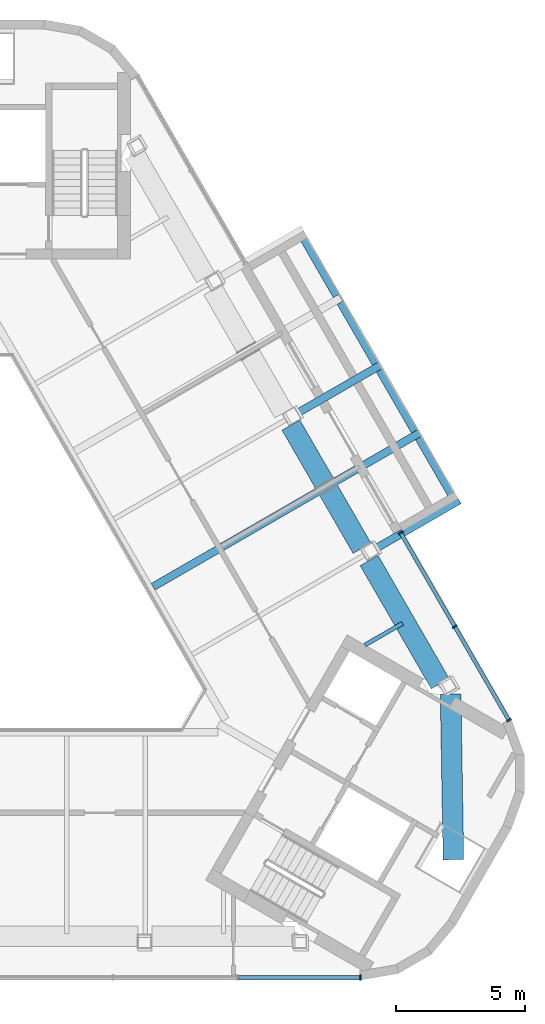
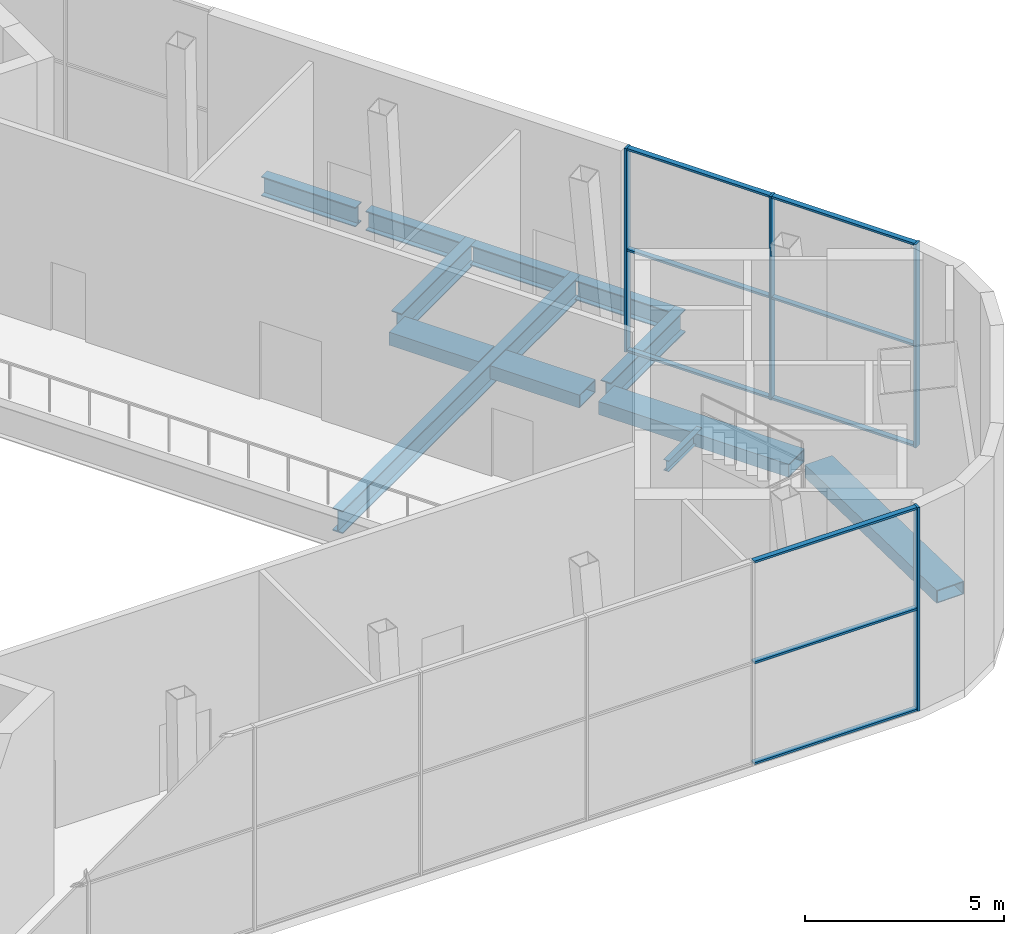
# One storey, part 4 of 12: 13 members, 12 beams, 2 elements without a shape of their own.
"""IFC4 building model written with IfcOpenShell, lengths in metres."""

from ifc_helpers import new_model, si_unit, direction, frame, origin, origin_2d, place, context, subcontext, project, spatial, rectangle, hollow_rectangle, i_section, extrude, material, layer, layer_set, material_profile, profile_set, type_object, element, aggregate, save


model = new_model("IFC4")

# Units and contexts
model_context = context("Model", 3, precision=1e-05, world=origin(), true_north=direction((0.0, 1.0)))
body_context = subcontext(model_context, "Body", "Model", "MODEL_VIEW")
ifc_project = project(units=[si_unit("LENGTHUNIT", "METRE"), si_unit("AREAUNIT", "SQUARE_METRE"), si_unit("VOLUMEUNIT", "CUBIC_METRE"), si_unit("PLANEANGLEUNIT", "RADIAN"), si_unit("MASSUNIT", "GRAM", prefix="KILO")], contexts=[model_context])

# Site, building, storey
site_placement = place(None, origin())
site = spatial("IfcSite", under=ifc_project, at=site_placement, CompositionType="ELEMENT")
building_placement = place(site_placement, origin())
building = spatial("IfcBuilding", under=site, at=building_placement, Name="Apuvela Tower Hotel", CompositionType="ELEMENT")
storey_placement = place(building_placement, frame((0.0, 0.0, 331.800048828125)))
storey = spatial("IfcBuildingStorey", under=building, at=storey_placement, Name="L83", CompositionType="ELEMENT", Elevation=331.800048828125)

# Curtain wall, member
ifc_material_1 = material(Name="Aluminium 6063-T6, dark bronze anodised", Category="aluminium")
ifc_layer = layer(ifc_material_1, 0.199951171875)
ifc_layer_set = layer_set([ifc_layer], Name="ENV-CW-L")
curtain_wall_type = type_object("IfcCurtainWallType", Name="ENV-CW-L", PredefinedType="NOTDEFINED", material=ifc_layer_set)
curtain_wall_1_placement = place(storey_placement, origin())
curtain_wall_1 = element("IfcCurtainWall", 1, at=curtain_wall_1_placement, inside=storey, type_object=curtain_wall_type, Name="Curtain wall CW-L S L83", PredefinedType="NOTDEFINED")
ifc_material_profile_1 = material_profile(ifc_material_1, rectangle(XDim=0.199951171875, YDim=0.06494140625, at=origin_2d()), Name="AL 65x200")
ifc_profile_set_1 = profile_set([ifc_material_profile_1], Name="Aluminium 6063-T6, dark bronze anodised")
member_type_1 = type_object("IfcMemberType", Name="ENV-MULLION-65x200", PredefinedType="MULLION", material=ifc_profile_set_1)
member_1_placement = place(storey_placement, frame((14.434814453125, -14.993408203125, 0.0), z_axis=(0.0, 0.0, 1.0), x_axis=(0.0, 1.0, 0.0)))
member_1 = element("IfcMember", 2, at=member_1_placement, type_object=member_type_1, Name="CW-L mullion 7", PredefinedType="MULLION", context=body_context, shape_type="SweptSolid", body=[
    extrude(rectangle(XDim=0.199951171875, YDim=0.06494140625, at=origin_2d()), origin(), (0.0, 0.0, 1.0), 6.25),
])

# Curtain wall, members
curtain_wall_2_placement = place(storey_placement, origin())
curtain_wall_2 = element("IfcCurtainWall", 3, at=curtain_wall_2_placement, inside=storey, type_object=curtain_wall_type, Name="Curtain wall CW-L NE L83-1", PredefinedType="NOTDEFINED")
member_2_placement = place(storey_placement, frame((20.201904296875, -5.004150390625, 0.0), z_axis=(0.0, 0.0, 1.0), x_axis=(-0.866028052231, -0.499995412728, 0.0)))
member_2 = element("IfcMember", 4, at=member_2_placement, type_object=member_type_1, Name="CW-L mullion 1", PredefinedType="MULLION", context=body_context, shape_type="SweptSolid", body=[
    extrude(rectangle(XDim=0.199951171875, YDim=0.06494140625, at=origin_2d()), origin(), (0.0, 0.0, 1.0), 6.25),
])
member_3_placement = place(storey_placement, frame((18.101318359375, -1.365966796875, 0.0), z_axis=(0.0, 0.0, 1.0), x_axis=(-0.866028052231, -0.499995412728, 0.0)))
member_3 = element("IfcMember", 5, at=member_3_placement, type_object=member_type_1, Name="CW-L mullion 2", PredefinedType="MULLION", context=body_context, shape_type="SweptSolid", body=[
    extrude(rectangle(XDim=0.199951171875, YDim=0.06494140625, at=origin_2d()), origin(), (0.0, 0.0, 1.0), 6.25),
])
member_4_placement = place(storey_placement, frame((16.000732421875, 2.2724609375, 0.0), z_axis=(0.0, 0.0, 1.0), x_axis=(-0.866028052231, -0.499995412728, 0.0)))
member_4 = element("IfcMember", 6, at=member_4_placement, type_object=member_type_1, Name="CW-L mullion 3", PredefinedType="MULLION", context=body_context, shape_type="SweptSolid", body=[
    extrude(rectangle(XDim=0.199951171875, YDim=0.06494140625, at=origin_2d()), origin(), (0.0, 0.0, 1.0), 6.25),
])

# Member
ifc_material_profile_2 = material_profile(ifc_material_1, rectangle(XDim=0.14990234375, YDim=0.06494140625, at=origin_2d()), Name="AL 65x150 transom")
ifc_profile_set_2 = profile_set([ifc_material_profile_2], Name="Aluminium 6063-T6, dark bronze anodised")
member_type_2 = type_object("IfcMemberType", Name="ENV-TRANSOM-65x150", PredefinedType="USERDEFINED", material=ifc_profile_set_2)
member_5_placement = place(storey_placement, frame((9.67724609375, -14.993408203125, 0.032470703125), z_axis=(1.0, 0.0, 0.0), x_axis=(0.0, 1.0, 0.0)))
member_5 = element("IfcMember", 7, at=member_5_placement, type_object=member_type_2, Name="CW-L transom 6.1", ObjectType="TRANSOM", PredefinedType="USERDEFINED", context=body_context, shape_type="SweptSolid", body=[
    extrude(rectangle(XDim=0.14990234375, YDim=0.06494140625, at=origin_2d()), origin(), (0.0, 0.0, 1.0), 4.72509765625),
])

member_6_placement = place(storey_placement, frame((9.67724609375, -14.993408203125, 3.125), z_axis=(1.0, 0.0, 0.0), x_axis=(0.0, 1.0, 0.0)))
member_6 = element("IfcMember", 8, at=member_6_placement, type_object=member_type_2, Name="CW-L transom 6.2", ObjectType="TRANSOM", PredefinedType="USERDEFINED", context=body_context, shape_type="SweptSolid", body=[
    extrude(rectangle(XDim=0.14990234375, YDim=0.06494140625, at=origin_2d()), origin(), (0.0, 0.0, 1.0), 4.72509765625),
])

member_7_placement = place(storey_placement, frame((9.67724609375, -14.993408203125, 6.217529296875), z_axis=(1.0, 0.0, 0.0), x_axis=(0.0, 1.0, 0.0)))
member_7 = element("IfcMember", 9, at=member_7_placement, type_object=member_type_2, Name="CW-L transom 6.3", ObjectType="TRANSOM", PredefinedType="USERDEFINED", context=body_context, shape_type="SweptSolid", body=[
    extrude(rectangle(XDim=0.14990234375, YDim=0.06494140625, at=origin_2d()), origin(), (0.0, 0.0, 1.0), 4.72509765625),
])

aggregate(curtain_wall_1, [member_1, member_5, member_6, member_7])

member_8_placement = place(storey_placement, frame((20.185791015625, -4.97607421875, 0.032470703125), z_axis=(-0.50000517286, 0.866022417212, 0.0), x_axis=(-0.866022417212, -0.50000517286, 0.0)))
member_8 = element("IfcMember", 10, at=member_8_placement, type_object=member_type_2, Name="CW-L transom 1.1", ObjectType="TRANSOM", PredefinedType="USERDEFINED", context=body_context, shape_type="SweptSolid", body=[
    extrude(rectangle(XDim=0.14990234375, YDim=0.06494140625, at=origin_2d()), origin(), (0.0, 0.0, 1.0), 4.13623046875),
])

member_9_placement = place(storey_placement, frame((20.185791015625, -4.97607421875, 3.125), z_axis=(-0.50000517286, 0.866022417212, 0.0), x_axis=(-0.866022417212, -0.50000517286, 0.0)))
member_9 = element("IfcMember", 11, at=member_9_placement, type_object=member_type_2, Name="CW-L transom 1.2", ObjectType="TRANSOM", PredefinedType="USERDEFINED", context=body_context, shape_type="SweptSolid", body=[
    extrude(rectangle(XDim=0.14990234375, YDim=0.06494140625, at=origin_2d()), origin(), (0.0, 0.0, 1.0), 4.13623046875),
])

member_10_placement = place(storey_placement, frame((20.185791015625, -4.97607421875, 6.217529296875), z_axis=(-0.50000517286, 0.866022417212, 0.0), x_axis=(-0.866022417212, -0.50000517286, 0.0)))
member_10 = element("IfcMember", 12, at=member_10_placement, type_object=member_type_2, Name="CW-L transom 1.3", ObjectType="TRANSOM", PredefinedType="USERDEFINED", context=body_context, shape_type="SweptSolid", body=[
    extrude(rectangle(XDim=0.14990234375, YDim=0.06494140625, at=origin_2d()), origin(), (0.0, 0.0, 1.0), 4.13623046875),
])

member_11_placement = place(storey_placement, frame((18.085205078125, -1.337890625, 0.032470703125), z_axis=(-0.50000517286, 0.866022417212, 0.0), x_axis=(-0.866022417212, -0.50000517286, 0.0)))
member_11 = element("IfcMember", 13, at=member_11_placement, type_object=member_type_2, Name="CW-L transom 2.1", ObjectType="TRANSOM", PredefinedType="USERDEFINED", context=body_context, shape_type="SweptSolid", body=[
    extrude(rectangle(XDim=0.14990234375, YDim=0.06494140625, at=origin_2d()), origin(), (0.0, 0.0, 1.0), 4.13623046875),
])

member_12_placement = place(storey_placement, frame((18.085205078125, -1.337890625, 3.125), z_axis=(-0.50000517286, 0.866022417212, 0.0), x_axis=(-0.866022417212, -0.50000517286, 0.0)))
member_12 = element("IfcMember", 14, at=member_12_placement, type_object=member_type_2, Name="CW-L transom 2.2", ObjectType="TRANSOM", PredefinedType="USERDEFINED", context=body_context, shape_type="SweptSolid", body=[
    extrude(rectangle(XDim=0.14990234375, YDim=0.06494140625, at=origin_2d()), origin(), (0.0, 0.0, 1.0), 4.13623046875),
])

member_13_placement = place(storey_placement, frame((18.085205078125, -1.337890625, 6.217529296875), z_axis=(-0.50000517286, 0.866022417212, 0.0), x_axis=(-0.866022417212, -0.50000517286, 0.0)))
member_13 = element("IfcMember", 15, at=member_13_placement, type_object=member_type_2, Name="CW-L transom 2.3", ObjectType="TRANSOM", PredefinedType="USERDEFINED", context=body_context, shape_type="SweptSolid", body=[
    extrude(rectangle(XDim=0.14990234375, YDim=0.06494140625, at=origin_2d()), origin(), (0.0, 0.0, 1.0), 4.13623046875),
])

aggregate(curtain_wall_2, [member_2, member_3, member_4, member_8, member_9, member_10, member_11, member_12, member_13])

# Beams
ifc_material_2 = material(Name="Steel S355", Category="steel")
ifc_material_profile_3 = material_profile(ifc_material_2, i_section(OverallWidth=0.159912109375, OverallDepth=0.330078125, WebThickness=0.007568359375, FlangeThickness=0.011474609375, at=origin_2d()), Name="IPE 330")
ifc_profile_set_3 = profile_set([ifc_material_profile_3], Name="Steel S355")
beam_type_1 = type_object("IfcBeamType", Name="STR-B floor beam IPE 330", PredefinedType="BEAM", material=ifc_profile_set_3)
beam_1_placement = place(storey_placement, frame((16.068115234375, -1.243896484375, -0.4150390625), z_axis=(-0.866028486751, -0.499994660107, 0.0), x_axis=(0.499994660107, -0.866028486751, 0.0)))
element("IfcBeam", 16, at=beam_1_placement, inside=storey, type_object=beam_type_1, Name="Floor beam B1 NE2", PredefinedType="BEAM", context=body_context, shape_type="SweptSolid", body=[
    extrude(i_section(OverallWidth=0.159912109375, OverallDepth=0.330078125, WebThickness=0.007568359375, FlangeThickness=0.011474609375, at=origin_2d()), origin(), (0.0, 0.0, 1.0), 1.68212890625),
])
ifc_material_profile_4 = material_profile(ifc_material_2, i_section(OverallWidth=0.300048828125, OverallDepth=0.699951171875, WebThickness=0.01708984375, FlangeThickness=0.031982421875, at=origin_2d()), Name="HE 700 B")
ifc_profile_set_4 = profile_set([ifc_material_profile_4], Name="Steel S355")
beam_type_2 = type_object("IfcBeamType", Name="STR-PB pool cantilever beam HE 700 B", PredefinedType="BEAM", material=ifc_profile_set_4)
beam_2_placement = place(storey_placement, frame((15.02587890625, 1.6611328125, -0.60009765625), z_axis=(0.866006681225, 0.500032427021, 0.0), x_axis=(-0.500032427021, 0.866006681225, 0.0)))
element("IfcBeam", 17, at=beam_2_placement, inside=storey, type_object=beam_type_2, Name="Pool cantilever beam PB1 1", PredefinedType="BEAM", context=body_context, shape_type="SweptSolid", body=[
    extrude(i_section(OverallWidth=0.300048828125, OverallDepth=0.699951171875, WebThickness=0.01708984375, FlangeThickness=0.031982421875, at=origin_2d()), origin(), (0.0, 0.0, 1.0), 3.749755859375),
])
beam_3_placement = place(storey_placement, frame((6.385498046875, 0.1796875, -0.60009765625), z_axis=(0.866023620149, 0.500003089334, 0.0), x_axis=(-0.500003089334, 0.866023620149, 0.0)))
element("IfcBeam", 18, at=beam_3_placement, inside=storey, type_object=beam_type_2, Name="Pool beam PB1 2", PredefinedType="BEAM", context=body_context, shape_type="SweptSolid", body=[
    extrude(i_section(OverallWidth=0.300048828125, OverallDepth=0.699951171875, WebThickness=0.01708984375, FlangeThickness=0.031982421875, at=origin_2d()), origin(), (0.0, 0.0, 1.0), 11.9736328125),
])
beam_4_placement = place(storey_placement, frame((11.988525390625, 6.921630859375, -0.60009765625), z_axis=(0.866022959057, 0.500004234368, 0.0), x_axis=(-0.500004234368, 0.866022959057, 0.0)))
element("IfcBeam", 19, at=beam_4_placement, inside=storey, type_object=beam_type_2, Name="Pool cantilever beam PB1 3", PredefinedType="BEAM", context=body_context, shape_type="SweptSolid", body=[
    extrude(i_section(OverallWidth=0.300048828125, OverallDepth=0.699951171875, WebThickness=0.01708984375, FlangeThickness=0.031982421875, at=origin_2d()), origin(), (0.0, 0.0, 1.0), 3.75),
])
ifc_material_profile_5 = material_profile(ifc_material_2, i_section(OverallWidth=0.300048828125, OverallDepth=0.60009765625, WebThickness=0.015380859375, FlangeThickness=0.030029296875, at=origin_2d()), Name="HE 600 B")
ifc_profile_set_5 = profile_set([ifc_material_profile_5], Name="Steel S355")
beam_type_3 = type_object("IfcBeamType", Name="STR-PT pool edge beam HE 600 B", PredefinedType="BEAM", material=ifc_profile_set_5)
beam_5_placement = place(storey_placement, frame((18.068359375, 3.591064453125, -0.550048828125), z_axis=(-0.49996696679, 0.866044474677, 0.0), x_axis=(-0.866044474677, -0.49996696679, 0.0)))
element("IfcBeam", 20, at=beam_5_placement, inside=storey, type_object=beam_type_3, Name="Pool edge beam PT1 1", PredefinedType="BEAM", context=body_context, shape_type="SweptSolid", body=[
    extrude(i_section(OverallWidth=0.300048828125, OverallDepth=0.60009765625, WebThickness=0.015380859375, FlangeThickness=0.030029296875, at=origin_2d()), origin(), (0.0, 0.0, 1.0), 2.737060546875),
])
beam_6_placement = place(storey_placement, frame((16.5498046875, 6.22119140625, -0.550048828125), z_axis=(-0.49992834617, 0.86606676919, 0.0), x_axis=(-0.86606676919, -0.49992834617, 0.0)))
element("IfcBeam", 21, at=beam_6_placement, inside=storey, type_object=beam_type_3, Name="Pool edge beam PT1 2", PredefinedType="BEAM", context=body_context, shape_type="SweptSolid", body=[
    extrude(i_section(OverallWidth=0.300048828125, OverallDepth=0.60009765625, WebThickness=0.015380859375, FlangeThickness=0.030029296875, at=origin_2d()), origin(), (0.0, 0.0, 1.0), 2.7373046875),
])
beam_7_placement = place(storey_placement, frame((15.03125, 8.8515625, -0.550048828125), z_axis=(-0.49996696679, 0.866044474677, 0.0), x_axis=(-0.866044474677, -0.49996696679, 0.0)))
element("IfcBeam", 22, at=beam_7_placement, inside=storey, type_object=beam_type_3, Name="Pool edge beam PT1 3", PredefinedType="BEAM", context=body_context, shape_type="SweptSolid", body=[
    extrude(i_section(OverallWidth=0.300048828125, OverallDepth=0.60009765625, WebThickness=0.015380859375, FlangeThickness=0.030029296875, at=origin_2d()), origin(), (0.0, 0.0, 1.0), 2.737060546875),
])
beam_8_placement = place(storey_placement, frame((13.5126953125, 11.481689453125, -0.550048828125), z_axis=(-0.49992834617, 0.86606676919, 0.0), x_axis=(-0.86606676919, -0.49992834617, 0.0)))
element("IfcBeam", 23, at=beam_8_placement, inside=storey, type_object=beam_type_3, Name="Pool edge beam PT1 4", PredefinedType="BEAM", context=body_context, shape_type="SweptSolid", body=[
    extrude(i_section(OverallWidth=0.300048828125, OverallDepth=0.60009765625, WebThickness=0.015380859375, FlangeThickness=0.030029296875, at=origin_2d()), origin(), (0.0, 0.0, 1.0), 2.7373046875),
])
ifc_material_3 = material(Name="Steel S460", Category="steel")
ifc_material_profile_6 = material_profile(ifc_material_3, hollow_rectangle(XDim=0.800048828125, YDim=0.39990234375, WallThickness=0.02490234375, at=origin_2d()), Name="BOX 800x400x25")
ifc_profile_set_6 = profile_set([ifc_material_profile_6], Name="Steel S460")
beam_type_4 = type_object("IfcBeamType", Name="STR-RB perimeter ring beam BOX 800x400x25", PredefinedType="SPANDREL", material=ifc_profile_set_6)
beam_9_placement = place(storey_placement, frame((17.53564453125, -3.586181640625, -0.449951171875), z_axis=(-0.500008091576, 0.86602073206, 0.0), x_axis=(-0.86602073206, -0.500008091576, 0.0)))
element("IfcBeam", 24, at=beam_9_placement, inside=storey, type_object=beam_type_4, Name="Ring beam RB1 NE1", PredefinedType="SPANDREL", context=body_context, shape_type="SweptSolid", body=[
    extrude(hollow_rectangle(XDim=0.800048828125, YDim=0.39990234375, WallThickness=0.02490234375, at=origin_2d()), origin(), (0.0, 0.0, 1.0), 5.5244140625),
])
for number, where, z_axis, x_axis, name in (
    (25, (14.49853515625, 1.67431640625, -0.449951171875), (-0.500018667571, 0.866014625789, 0.0), (-0.866014625789, -0.500018667571, 0.0), "Ring beam RB1 NE2a"),
    (26, (13.032470703125, 4.213623046875, -0.449951171875), (-0.500018667571, 0.866014625789, 0.0), (-0.866014625789, -0.500018667571, 0.0), "Ring beam RB1 NE2b"),
):
    element("IfcBeam", number, at=place(storey_placement, frame(where, z_axis=z_axis, x_axis=x_axis)), inside=storey, type_object=beam_type_4, Name=name, PredefinedType="SPANDREL", context=body_context, shape_type="SweptSolid", body=[
        extrude(hollow_rectangle(XDim=0.800048828125, YDim=0.39990234375, WallThickness=0.02490234375, at=origin_2d()), origin(), (0.0, 0.0, 1.0), 2.59228515625),
    ])
beam_10_placement = place(storey_placement, frame((17.938232421875, -3.98876953125, -0.449951171875), z_axis=(0.017079845043, -0.999854128807, 0.0), x_axis=(0.999854128807, 0.017079845043, 0.0)))
element("IfcBeam", 27, at=beam_10_placement, inside=storey, type_object=beam_type_4, Name="Ring beam RB1 NE1-SE", PredefinedType="SPANDREL", context=body_context, shape_type="SweptSolid", body=[
    extrude(hollow_rectangle(XDim=0.800048828125, YDim=0.39990234375, WallThickness=0.02490234375, at=origin_2d()), origin(), (0.0, 0.0, 1.0), 6.432373046875),
])

save(model, "model.ifc")
